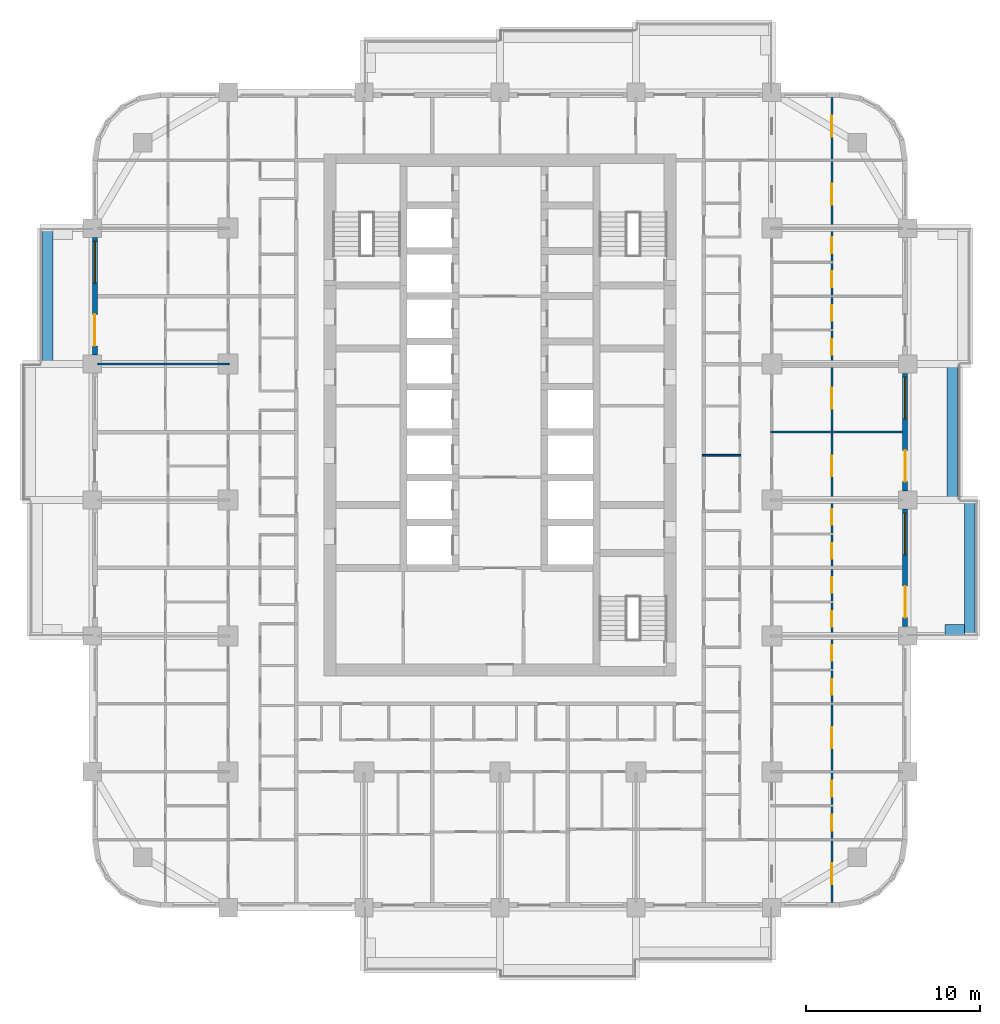
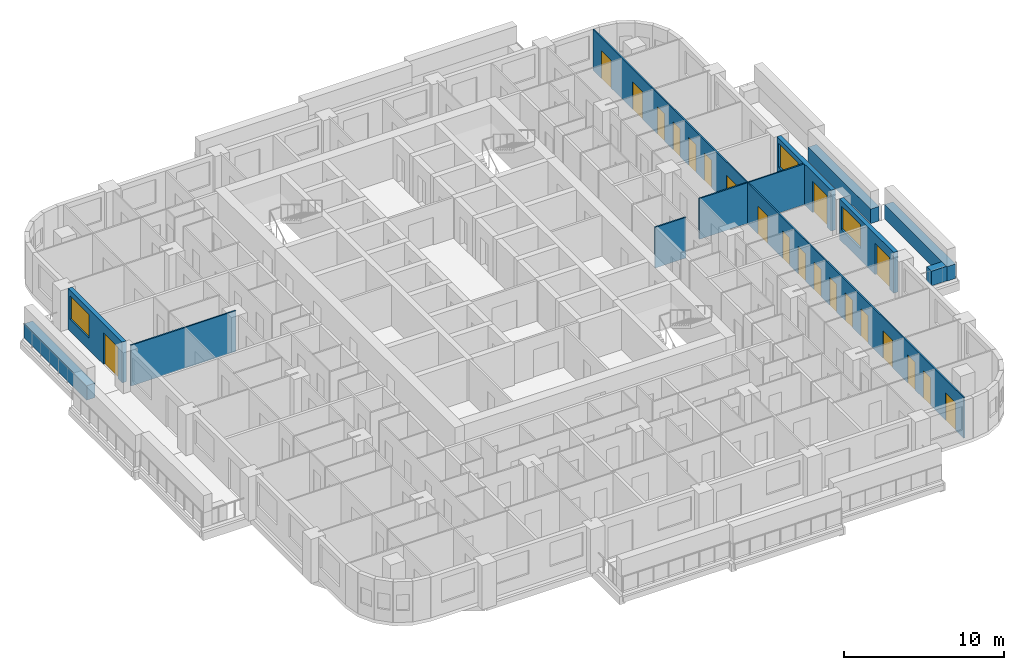
# One storey, part 9 of 17: 21 doors, 11 walls, 3 windows, 24 openings.
"""IFC4 building model written with IfcOpenShell, lengths in metres."""

from ifc_helpers import new_model, si_unit, direction, frame, frame_2d, origin, place, context, subcontext, project, spatial, rectangle, extrude, material, layer, layer_set, type_object, element, fill, save


model = new_model("IFC4")

# Units and contexts
model_context = context("Model", 3, precision=1e-05, world=origin(), true_north=direction((0.0, 1.0)))
body_context = subcontext(model_context, "Body", "Model", "MODEL_VIEW")
ifc_project = project(units=[si_unit("LENGTHUNIT", "METRE"), si_unit("AREAUNIT", "SQUARE_METRE"), si_unit("VOLUMEUNIT", "CUBIC_METRE"), si_unit("PLANEANGLEUNIT", "RADIAN"), si_unit("MASSUNIT", "GRAM", prefix="KILO")], contexts=[model_context])

# Site, building, storey
site_placement = place(None, origin())
site = spatial("IfcSite", under=ifc_project, at=site_placement, CompositionType="ELEMENT")
building_placement = place(site_placement, origin())
building = spatial("IfcBuilding", under=site, at=building_placement, Name="Ludao Terraces", CompositionType="ELEMENT")
storey_placement = place(building_placement, frame((0.0, 0.0, 43.300048828125)))
storey = spatial("IfcBuildingStorey", under=building, at=storey_placement, Name="L11", CompositionType="ELEMENT", Elevation=43.300048828125)

# Walls
ifc_material_1 = material(Name="Concrete C40", Category="concrete")
ifc_layer_1 = layer(ifc_material_1, 0.60009765625)
ifc_layer_set_1 = layer_set([ifc_layer_1], Name="ENV Planter trough 600")
wall_type_1 = type_object("IfcWallType", Name="ENV Planter trough 600", PredefinedType="USERDEFINED", material=ifc_layer_set_1)
wall_1_placement = place(storey_placement, frame((111.949951171875, 57.199951171875, 0.0), z_axis=(0.0, 0.0, 1.0), x_axis=(0.0, 1.0, 0.0)))
element("IfcWall", 1, at=wall_1_placement, inside=storey, type_object=wall_type_1, Name="PL-L11-E2", ObjectType="PLANTER", PredefinedType="USERDEFINED", context=body_context, shape_type="SweptSolid", body=[
    extrude(rectangle(XDim=7.800048828125, YDim=0.60009765625, at=frame_2d((3.89990234375, 0.0))), origin(), (0.0, 0.0, 1.0), 1.099853515625),
])
wall_2_placement = place(storey_placement, frame((111.64990234375, 57.550048828125, 0.0), z_axis=(0.0, 0.0, 1.0), x_axis=(-1.0, 0.0, 0.0)))
element("IfcWall", 2, at=wall_2_placement, inside=storey, type_object=wall_type_1, Name="PL-L11-E2-SA", ObjectType="PLANTER", PredefinedType="USERDEFINED", context=body_context, shape_type="SweptSolid", body=[
    extrude(rectangle(XDim=1.099853515625, YDim=0.60009765625, at=frame_2d((0.5498046875, 0.0))), origin(), (0.0, 0.0, 1.0), 1.099853515625),
])
for number, where, z_axis, x_axis, name in (
    (3, (110.949951171875, 65.0, 0.0), (0.0, 0.0, 1.0), (0.0, 1.0, 0.0), "PL-L11-E3"),
    (4, (59.050048828125, 72.800048828125, 0.0), (0.0, 0.0, 1.0), (0.0, 1.0, 0.0), "PL-L11-W4"),
):
    element("IfcWall", number, at=place(storey_placement, frame(where, z_axis=z_axis, x_axis=x_axis)), inside=storey, type_object=wall_type_1, Name=name, ObjectType="PLANTER", PredefinedType="USERDEFINED", context=body_context, shape_type="SweptSolid", body=[
        extrude(rectangle(XDim=7.800048828125, YDim=0.60009765625, at=frame_2d((3.89990234375, 0.0))), origin(), (0.0, 0.0, 1.0), 1.099853515625),
    ])

# Wall, openings, door, window
ifc_material_2 = material(Name="Granite cladding", Category="masonry")
ifc_layer_2 = layer(ifc_material_2, 0.0400390625, Category="stone")
ifc_material_3 = material(Name="Mineral wool")
ifc_layer_3 = layer(ifc_material_3, 0.06005859375)
ifc_layer_4 = layer(ifc_material_1, 0.199951171875, Category="concrete")
ifc_layer_set_2 = layer_set([ifc_layer_2, ifc_layer_3, ifc_layer_4], Name="ENV Stone-clad wall 300")
wall_type_2 = type_object("IfcWallType", Name="ENV Stone-clad wall 300", PredefinedType="SOLIDWALL", material=ifc_layer_set_2)
wall_3_placement = place(storey_placement, frame((108.25, 57.72509765625, 0.0), z_axis=(0.0, 0.0, 1.0), x_axis=(0.0, 1.0, 0.0)))
wall_3 = element("IfcWall", 5, at=wall_3_placement, inside=storey, type_object=wall_type_2, Name="EW-L11-E3", PredefinedType="SOLIDWALL", context=body_context, shape_type="SweptSolid", body=[
    extrude(rectangle(XDim=6.75, YDim=0.300048828125, at=frame_2d((3.375, 0.0))), origin(), (0.0, 0.0, 1.0), 3.099853515625),
])
opening_1_placement = place(wall_3_placement, frame((0.52490234375, 0.0, 0.0)))
opening_1 = element("IfcOpeningElement", 6, at=opening_1_placement, cuts=wall_3, Name="Opening BD", PredefinedType="OPENING", context=body_context, shape_type="SweptSolid", body=[
    extrude(rectangle(XDim=1.800048828125, YDim=2.39990234375, at=frame_2d((0.89990234375, 1.199951171875))), frame((0.0, 0.16015625, 0.0), z_axis=(0.0, -1.0, 0.0), x_axis=(1.0, 0.0, 0.0)), (0.0, 0.0, 1.0), 0.320068359375),
])
opening_2_placement = place(wall_3_placement, frame((4.125, 0.0, 0.89990234375)))
opening_2 = element("IfcOpeningElement", 7, at=opening_2_placement, cuts=wall_3, Name="Opening W1", PredefinedType="OPENING", context=body_context, shape_type="SweptSolid", body=[
    extrude(rectangle(XDim=2.39990234375, YDim=1.800048828125, at=frame_2d((1.199951171875, 0.89990234375))), frame((0.0, 0.16015625, 0.0), z_axis=(0.0, -1.0, 0.0), x_axis=(1.0, 0.0, 0.0)), (0.0, 0.0, 1.0), 0.320068359375),
])
ifc_material_4 = material(Name="Aluminium glazed door", Category="aluminium")
ifc_layer_5 = layer(ifc_material_4, 0.06005859375)
ifc_layer_set_3 = layer_set([ifc_layer_5], Name="ENV Balcony door BD 1800x2400")
door_type_1 = type_object("IfcDoorType", Name="ENV Balcony door BD 1800x2400", OperationType="DOUBLE_DOOR_SINGLE_SWING", PredefinedType="DOOR", material=ifc_layer_set_3)
door_1_placement = place(opening_1_placement, origin())
door_1 = element("IfcDoor", 8, at=door_1_placement, inside=storey, type_object=door_type_1, Name="BD-L11-E3-1", OperationType="DOUBLE_DOOR_SINGLE_SWING", OverallHeight=2.39990234375, OverallWidth=1.800048828125, PredefinedType="DOOR", context=body_context, shape_type="SweptSolid", body=[
    extrude(rectangle(XDim=1.800048828125, YDim=2.39990234375, at=frame_2d((0.89990234375, 1.199951171875))), frame((0.0, 0.02490234375, 0.0), z_axis=(0.0, -1.0, 0.0), x_axis=(1.0, 0.0, 0.0)), (0.0, 0.0, 1.0), 0.050048828125),
])
fill(opening_1, door_1)
ifc_material_5 = material(Name="Clear glass in aluminium frame", Category="aluminium")
ifc_layer_6 = layer(ifc_material_5, 0.06005859375)
ifc_layer_set_4 = layer_set([ifc_layer_6], Name="ENV Window W1 2400x1800")
window_type = type_object("IfcWindowType", Name="ENV Window W1 2400x1800", PartitioningType="DOUBLE_PANEL_VERTICAL", PredefinedType="WINDOW", material=ifc_layer_set_4)
window_1_placement = place(opening_2_placement, origin())
window_1 = element("IfcWindow", 9, at=window_1_placement, inside=storey, type_object=window_type, Name="W-L11-E3-2", OverallHeight=1.800048828125, OverallWidth=2.39990234375, PartitioningType="DOUBLE_PANEL_VERTICAL", PredefinedType="WINDOW", context=body_context, shape_type="SweptSolid", body=[
    extrude(rectangle(XDim=2.39990234375, YDim=1.800048828125, at=frame_2d((1.199951171875, 0.89990234375))), frame((0.0, 0.030029296875, 0.0), z_axis=(0.0, -1.0, 0.0), x_axis=(1.0, 0.0, 0.0)), (0.0, 0.0, 1.0), 0.06005859375),
])
fill(opening_2, window_1)

wall_4_placement = place(storey_placement, frame((108.25, 65.52490234375, 0.0), z_axis=(0.0, 0.0, 1.0), x_axis=(0.0, 1.0, 0.0)))
wall_4 = element("IfcWall", 10, at=wall_4_placement, inside=storey, type_object=wall_type_2, Name="EW-L11-E4", PredefinedType="SOLIDWALL", context=body_context, shape_type="SweptSolid", body=[
    extrude(rectangle(XDim=6.75, YDim=0.300048828125, at=frame_2d((3.375, 0.0))), origin(), (0.0, 0.0, 1.0), 3.099853515625),
])
opening_3_placement = place(wall_4_placement, frame((0.52490234375, 0.0, 0.0)))
opening_3 = element("IfcOpeningElement", 11, at=opening_3_placement, cuts=wall_4, Name="Opening BD", PredefinedType="OPENING", context=body_context, shape_type="SweptSolid", body=[
    extrude(rectangle(XDim=1.800048828125, YDim=2.39990234375, at=frame_2d((0.89990234375, 1.199951171875))), frame((0.0, 0.16015625, 0.0), z_axis=(0.0, -1.0, 0.0), x_axis=(1.0, 0.0, 0.0)), (0.0, 0.0, 1.0), 0.320068359375),
])
opening_4_placement = place(wall_4_placement, frame((4.125, 0.0, 0.89990234375)))
opening_4 = element("IfcOpeningElement", 12, at=opening_4_placement, cuts=wall_4, Name="Opening W1", PredefinedType="OPENING", context=body_context, shape_type="SweptSolid", body=[
    extrude(rectangle(XDim=2.39990234375, YDim=1.800048828125, at=frame_2d((1.199951171875, 0.89990234375))), frame((0.0, 0.16015625, 0.0), z_axis=(0.0, -1.0, 0.0), x_axis=(1.0, 0.0, 0.0)), (0.0, 0.0, 1.0), 0.320068359375),
])
door_2_placement = place(opening_3_placement, origin())
door_2 = element("IfcDoor", 13, at=door_2_placement, inside=storey, type_object=door_type_1, Name="BD-L11-E4-1", OperationType="DOUBLE_DOOR_SINGLE_SWING", OverallHeight=2.39990234375, OverallWidth=1.800048828125, PredefinedType="DOOR", context=body_context, shape_type="SweptSolid", body=[
    extrude(rectangle(XDim=1.800048828125, YDim=2.39990234375, at=frame_2d((0.89990234375, 1.199951171875))), frame((0.0, 0.02490234375, 0.0), z_axis=(0.0, -1.0, 0.0), x_axis=(1.0, 0.0, 0.0)), (0.0, 0.0, 1.0), 0.050048828125),
])
fill(opening_3, door_2)
window_2_placement = place(opening_4_placement, origin())
window_2 = element("IfcWindow", 14, at=window_2_placement, inside=storey, type_object=window_type, Name="W-L11-E4-2", OverallHeight=1.800048828125, OverallWidth=2.39990234375, PartitioningType="DOUBLE_PANEL_VERTICAL", PredefinedType="WINDOW", context=body_context, shape_type="SweptSolid", body=[
    extrude(rectangle(XDim=2.39990234375, YDim=1.800048828125, at=frame_2d((1.199951171875, 0.89990234375))), frame((0.0, 0.030029296875, 0.0), z_axis=(0.0, -1.0, 0.0), x_axis=(1.0, 0.0, 0.0)), (0.0, 0.0, 1.0), 0.06005859375),
])
fill(opening_4, window_2)

wall_5_placement = place(storey_placement, frame((61.75, 73.324951171875, 0.0), z_axis=(0.0, 0.0, 1.0), x_axis=(0.0, 1.0, 0.0)))
wall_5 = element("IfcWall", 15, at=wall_5_placement, inside=storey, type_object=wall_type_2, Name="EW-L11-W5", PredefinedType="SOLIDWALL", context=body_context, shape_type="SweptSolid", body=[
    extrude(rectangle(XDim=6.75, YDim=0.300048828125, at=frame_2d((3.375, 0.0))), origin(), (0.0, 0.0, 1.0), 3.099853515625),
])
opening_5_placement = place(wall_5_placement, frame((0.52490234375, 0.0, 0.0)))
opening_5 = element("IfcOpeningElement", 16, at=opening_5_placement, cuts=wall_5, Name="Opening BD", PredefinedType="OPENING", context=body_context, shape_type="SweptSolid", body=[
    extrude(rectangle(XDim=1.800048828125, YDim=2.39990234375, at=frame_2d((0.89990234375, 1.199951171875))), frame((0.0, 0.16015625, 0.0), z_axis=(0.0, -1.0, 0.0), x_axis=(1.0, 0.0, 0.0)), (0.0, 0.0, 1.0), 0.320068359375),
])
opening_6_placement = place(wall_5_placement, frame((4.125, 0.0, 0.89990234375)))
opening_6 = element("IfcOpeningElement", 17, at=opening_6_placement, cuts=wall_5, Name="Opening W1", PredefinedType="OPENING", context=body_context, shape_type="SweptSolid", body=[
    extrude(rectangle(XDim=2.39990234375, YDim=1.800048828125, at=frame_2d((1.199951171875, 0.89990234375))), frame((0.0, 0.16015625, 0.0), z_axis=(0.0, -1.0, 0.0), x_axis=(1.0, 0.0, 0.0)), (0.0, 0.0, 1.0), 0.320068359375),
])
door_3_placement = place(opening_5_placement, origin())
door_3 = element("IfcDoor", 18, at=door_3_placement, inside=storey, type_object=door_type_1, Name="BD-L11-W5-1", OperationType="DOUBLE_DOOR_SINGLE_SWING", OverallHeight=2.39990234375, OverallWidth=1.800048828125, PredefinedType="DOOR", context=body_context, shape_type="SweptSolid", body=[
    extrude(rectangle(XDim=1.800048828125, YDim=2.39990234375, at=frame_2d((0.89990234375, 1.199951171875))), frame((0.0, 0.02490234375, 0.0), z_axis=(0.0, -1.0, 0.0), x_axis=(1.0, 0.0, 0.0)), (0.0, 0.0, 1.0), 0.050048828125),
])
fill(opening_5, door_3)
window_3_placement = place(opening_6_placement, origin())
window_3 = element("IfcWindow", 19, at=window_3_placement, inside=storey, type_object=window_type, Name="W-L11-W5-2", OverallHeight=1.800048828125, OverallWidth=2.39990234375, PartitioningType="DOUBLE_PANEL_VERTICAL", PredefinedType="WINDOW", context=body_context, shape_type="SweptSolid", body=[
    extrude(rectangle(XDim=2.39990234375, YDim=1.800048828125, at=frame_2d((1.199951171875, 0.89990234375))), frame((0.0, 0.030029296875, 0.0), z_axis=(0.0, -1.0, 0.0), x_axis=(1.0, 0.0, 0.0)), (0.0, 0.0, 1.0), 0.06005859375),
])
fill(opening_6, window_3)

# Walls
ifc_material_6 = material(Name="Gypsum plasterboard", Category="gypsum")
ifc_layer_7 = layer(ifc_material_6, 0.012451171875, Category="gypsum")
ifc_layer_8 = layer(ifc_material_3, 0.06005859375, Name="insulation")
ifc_material_7 = material(Name="Steel Q235", Category="steel")
ifc_layer_9 = layer(ifc_material_7, 0.014892578125, Name="stud")
ifc_layer_10 = layer(ifc_material_6, 0.012451171875, Category="gypsum")
ifc_layer_set_5 = layer_set([ifc_layer_7, ifc_layer_8, ifc_layer_9, ifc_layer_10], Name="INT Partition 100")
wall_type_3 = type_object("IfcWallType", Name="INT Partition 100", PredefinedType="PARTITIONING", material=ifc_layer_set_5)
wall_6_placement = place(storey_placement, frame((96.60009765625, 67.570068359375, 0.0), z_axis=(0.0, 0.0, 1.0), x_axis=(1.0, 0.0, 0.0)))
element("IfcWall", 20, at=wall_6_placement, inside=storey, type_object=wall_type_3, Name="PW-L11-PW048", PredefinedType="PARTITIONING", context=body_context, shape_type="SweptSolid", body=[
    extrude(rectangle(XDim=2.219970703125, YDim=0.10009765625, at=frame_2d((1.10986328125, 0.0))), origin(), (0.0, 0.0, 1.0), 3.099853515625),
])
for number, where, z_axis, x_axis, name in (
    (21, (100.550048828125, 68.89990234375, 0.0), (0.0, 0.0, 1.0), (1.0, 0.0, 0.0), "PW-L11-PW050"),
    (22, (61.900146484375, 72.800048828125, 0.0), (0.0, 0.0, 1.0), (1.0, 0.0, 0.0), "PW-L11-PW056"),
):
    element("IfcWall", number, at=place(storey_placement, frame(where, z_axis=z_axis, x_axis=x_axis)), inside=storey, type_object=wall_type_3, Name=name, PredefinedType="PARTITIONING", context=body_context, shape_type="SweptSolid", body=[
        extrude(rectangle(XDim=7.550048828125, YDim=0.10009765625, at=frame_2d((3.77490234375, 0.0))), origin(), (0.0, 0.0, 1.0), 3.099853515625),
    ])

# Wall, openings, doors
wall_7_placement = place(storey_placement, frame((104.050048828125, 41.900146484375, 0.0), z_axis=(0.0, 0.0, 1.0), x_axis=(0.0, 1.0, 0.0)))
wall_7 = element("IfcWall", 23, at=wall_7_placement, inside=storey, type_object=wall_type_3, Name="PW-L11-PW124", PredefinedType="PARTITIONING", context=body_context, shape_type="SweptSolid", body=[
    extrude(rectangle(XDim=46.199951171875, YDim=0.10009765625, at=frame_2d((23.10009765625, 0.0))), origin(), (0.0, 0.0, 1.0), 3.099853515625),
])
opening_7_placement = place(wall_7_placement, frame((1.050048828125, 0.0, 0.0)))
opening_7 = element("IfcOpeningElement", 24, at=opening_7_placement, cuts=wall_7, Name="Opening R03-004", PredefinedType="OPENING", context=body_context, shape_type="SweptSolid", body=[
    extrude(rectangle(XDim=1.199951171875, YDim=2.10009765625, at=frame_2d((0.60009765625, 1.050048828125))), frame((0.0, 0.06005859375, 0.0), z_axis=(0.0, -1.0, 0.0), x_axis=(1.0, 0.0, 0.0)), (0.0, 0.0, 1.0), 0.1201171875),
])
opening_8_placement = place(wall_7_placement, frame((4.125, 0.0, 0.0)))
opening_8 = element("IfcOpeningElement", 25, at=opening_8_placement, cuts=wall_7, Name="Opening R03-017", PredefinedType="OPENING", context=body_context, shape_type="SweptSolid", body=[
    extrude(rectangle(XDim=0.89990234375, YDim=2.10009765625, at=frame_2d((0.449951171875, 1.050048828125))), frame((0.0, 0.06005859375, 0.0), z_axis=(0.0, -1.0, 0.0), x_axis=(1.0, 0.0, 0.0)), (0.0, 0.0, 1.0), 0.1201171875),
])
opening_9_placement = place(wall_7_placement, frame((6.074951171875, 0.0, 0.0)))
opening_9 = element("IfcOpeningElement", 26, at=opening_9_placement, cuts=wall_7, Name="Opening R03-023", PredefinedType="OPENING", context=body_context, shape_type="SweptSolid", body=[
    extrude(rectangle(XDim=0.89990234375, YDim=2.10009765625, at=frame_2d((0.449951171875, 1.050048828125))), frame((0.0, 0.06005859375, 0.0), z_axis=(0.0, -1.0, 0.0), x_axis=(1.0, 0.0, 0.0)), (0.0, 0.0, 1.0), 0.1201171875),
])
opening_10_placement = place(wall_7_placement, frame((8.85009765625, 0.0, 0.0)))
opening_10 = element("IfcOpeningElement", 27, at=opening_10_placement, cuts=wall_7, Name="Opening R03-044", PredefinedType="OPENING", context=body_context, shape_type="SweptSolid", body=[
    extrude(rectangle(XDim=1.199951171875, YDim=2.10009765625, at=frame_2d((0.60009765625, 1.050048828125))), frame((0.0, 0.06005859375, 0.0), z_axis=(0.0, -1.0, 0.0), x_axis=(1.0, 0.0, 0.0)), (0.0, 0.0, 1.0), 0.1201171875),
])
opening_11_placement = place(wall_7_placement, frame((11.925048828125, 0.0, 0.0)))
opening_11 = element("IfcOpeningElement", 28, at=opening_11_placement, cuts=wall_7, Name="Opening R03-052", PredefinedType="OPENING", context=body_context, shape_type="SweptSolid", body=[
    extrude(rectangle(XDim=0.89990234375, YDim=2.10009765625, at=frame_2d((0.449951171875, 1.050048828125))), frame((0.0, 0.06005859375, 0.0), z_axis=(0.0, -1.0, 0.0), x_axis=(1.0, 0.0, 0.0)), (0.0, 0.0, 1.0), 0.1201171875),
])
opening_12_placement = place(wall_7_placement, frame((13.875, 0.0, 0.0)))
opening_12 = element("IfcOpeningElement", 29, at=opening_12_placement, cuts=wall_7, Name="Opening R03-058", PredefinedType="OPENING", context=body_context, shape_type="SweptSolid", body=[
    extrude(rectangle(XDim=0.89990234375, YDim=2.10009765625, at=frame_2d((0.449951171875, 1.050048828125))), frame((0.0, 0.06005859375, 0.0), z_axis=(0.0, -1.0, 0.0), x_axis=(1.0, 0.0, 0.0)), (0.0, 0.0, 1.0), 0.1201171875),
])
opening_13_placement = place(wall_7_placement, frame((15.824951171875, 0.0, 0.0)))
opening_13 = element("IfcOpeningElement", 30, at=opening_13_placement, cuts=wall_7, Name="Opening R03-066", PredefinedType="OPENING", context=body_context, shape_type="SweptSolid", body=[
    extrude(rectangle(XDim=0.89990234375, YDim=2.10009765625, at=frame_2d((0.449951171875, 1.050048828125))), frame((0.0, 0.06005859375, 0.0), z_axis=(0.0, -1.0, 0.0), x_axis=(1.0, 0.0, 0.0)), (0.0, 0.0, 1.0), 0.1201171875),
])
opening_14_placement = place(wall_7_placement, frame((17.77490234375, 0.0, 0.0)))
opening_14 = element("IfcOpeningElement", 31, at=opening_14_placement, cuts=wall_7, Name="Opening R03-072", PredefinedType="OPENING", context=body_context, shape_type="SweptSolid", body=[
    extrude(rectangle(XDim=0.89990234375, YDim=2.10009765625, at=frame_2d((0.449951171875, 1.050048828125))), frame((0.0, 0.06005859375, 0.0), z_axis=(0.0, -1.0, 0.0), x_axis=(1.0, 0.0, 0.0)), (0.0, 0.0, 1.0), 0.1201171875),
])
opening_15_placement = place(wall_7_placement, frame((19.72509765625, 0.0, 0.0)))
opening_15 = element("IfcOpeningElement", 32, at=opening_15_placement, cuts=wall_7, Name="Opening R03-076", PredefinedType="OPENING", context=body_context, shape_type="SweptSolid", body=[
    extrude(rectangle(XDim=0.89990234375, YDim=2.10009765625, at=frame_2d((0.449951171875, 1.050048828125))), frame((0.0, 0.06005859375, 0.0), z_axis=(0.0, -1.0, 0.0), x_axis=(1.0, 0.0, 0.0)), (0.0, 0.0, 1.0), 0.1201171875),
])
opening_16_placement = place(wall_7_placement, frame((21.675048828125, 0.0, 0.0)))
opening_16 = element("IfcOpeningElement", 33, at=opening_16_placement, cuts=wall_7, Name="Opening R03-084", PredefinedType="OPENING", context=body_context, shape_type="SweptSolid", body=[
    extrude(rectangle(XDim=0.89990234375, YDim=2.10009765625, at=frame_2d((0.449951171875, 1.050048828125))), frame((0.0, 0.06005859375, 0.0), z_axis=(0.0, -1.0, 0.0), x_axis=(1.0, 0.0, 0.0)), (0.0, 0.0, 1.0), 0.1201171875),
])
opening_17_placement = place(wall_7_placement, frame((24.449951171875, 0.0, 0.0)))
opening_17 = element("IfcOpeningElement", 34, at=opening_17_placement, cuts=wall_7, Name="Opening R03-093", PredefinedType="OPENING", context=body_context, shape_type="SweptSolid", body=[
    extrude(rectangle(XDim=1.199951171875, YDim=2.10009765625, at=frame_2d((0.60009765625, 1.050048828125))), frame((0.0, 0.06005859375, 0.0), z_axis=(0.0, -1.0, 0.0), x_axis=(1.0, 0.0, 0.0)), (0.0, 0.0, 1.0), 0.1201171875),
])
opening_18_placement = place(wall_7_placement, frame((28.35009765625, 0.0, 0.0)))
opening_18 = element("IfcOpeningElement", 35, at=opening_18_placement, cuts=wall_7, Name="Opening R03-106", PredefinedType="OPENING", context=body_context, shape_type="SweptSolid", body=[
    extrude(rectangle(XDim=1.199951171875, YDim=2.10009765625, at=frame_2d((0.60009765625, 1.050048828125))), frame((0.0, 0.06005859375, 0.0), z_axis=(0.0, -1.0, 0.0), x_axis=(1.0, 0.0, 0.0)), (0.0, 0.0, 1.0), 0.1201171875),
])
opening_19_placement = place(wall_7_placement, frame((31.425048828125, 0.0, 0.0)))
opening_19 = element("IfcOpeningElement", 36, at=opening_19_placement, cuts=wall_7, Name="Opening R03-116", PredefinedType="OPENING", context=body_context, shape_type="SweptSolid", body=[
    extrude(rectangle(XDim=0.89990234375, YDim=2.10009765625, at=frame_2d((0.449951171875, 1.050048828125))), frame((0.0, 0.06005859375, 0.0), z_axis=(0.0, -1.0, 0.0), x_axis=(1.0, 0.0, 0.0)), (0.0, 0.0, 1.0), 0.1201171875),
])
opening_20_placement = place(wall_7_placement, frame((33.375, 0.0, 0.0)))
opening_20 = element("IfcOpeningElement", 37, at=opening_20_placement, cuts=wall_7, Name="Opening R03-126", PredefinedType="OPENING", context=body_context, shape_type="SweptSolid", body=[
    extrude(rectangle(XDim=0.89990234375, YDim=2.10009765625, at=frame_2d((0.449951171875, 1.050048828125))), frame((0.0, 0.06005859375, 0.0), z_axis=(0.0, -1.0, 0.0), x_axis=(1.0, 0.0, 0.0)), (0.0, 0.0, 1.0), 0.1201171875),
])
opening_21_placement = place(wall_7_placement, frame((35.324951171875, 0.0, 0.0)))
opening_21 = element("IfcOpeningElement", 38, at=opening_21_placement, cuts=wall_7, Name="Opening R03-128", PredefinedType="OPENING", context=body_context, shape_type="SweptSolid", body=[
    extrude(rectangle(XDim=0.89990234375, YDim=2.10009765625, at=frame_2d((0.449951171875, 1.050048828125))), frame((0.0, 0.06005859375, 0.0), z_axis=(0.0, -1.0, 0.0), x_axis=(1.0, 0.0, 0.0)), (0.0, 0.0, 1.0), 0.1201171875),
])
opening_22_placement = place(wall_7_placement, frame((37.27490234375, 0.0, 0.0)))
opening_22 = element("IfcOpeningElement", 39, at=opening_22_placement, cuts=wall_7, Name="Opening R03-138", PredefinedType="OPENING", context=body_context, shape_type="SweptSolid", body=[
    extrude(rectangle(XDim=0.89990234375, YDim=2.10009765625, at=frame_2d((0.449951171875, 1.050048828125))), frame((0.0, 0.06005859375, 0.0), z_axis=(0.0, -1.0, 0.0), x_axis=(1.0, 0.0, 0.0)), (0.0, 0.0, 1.0), 0.1201171875),
])
opening_23_placement = place(wall_7_placement, frame((40.050048828125, 0.0, 0.0)))
opening_23 = element("IfcOpeningElement", 40, at=opening_23_placement, cuts=wall_7, Name="Opening R03-148", PredefinedType="OPENING", context=body_context, shape_type="SweptSolid", body=[
    extrude(rectangle(XDim=1.199951171875, YDim=2.10009765625, at=frame_2d((0.60009765625, 1.050048828125))), frame((0.0, 0.06005859375, 0.0), z_axis=(0.0, -1.0, 0.0), x_axis=(1.0, 0.0, 0.0)), (0.0, 0.0, 1.0), 0.1201171875),
])
opening_24_placement = place(wall_7_placement, frame((43.949951171875, 0.0, 0.0)))
opening_24 = element("IfcOpeningElement", 41, at=opening_24_placement, cuts=wall_7, Name="Opening R03-164", PredefinedType="OPENING", context=body_context, shape_type="SweptSolid", body=[
    extrude(rectangle(XDim=1.199951171875, YDim=2.10009765625, at=frame_2d((0.60009765625, 1.050048828125))), frame((0.0, 0.06005859375, 0.0), z_axis=(0.0, -1.0, 0.0), x_axis=(1.0, 0.0, 0.0)), (0.0, 0.0, 1.0), 0.1201171875),
])
ifc_material_8 = material(Name="Timber door leaf", Category="wood")
door_type_2 = type_object("IfcDoorType", Name="INT Bathroom door 900", OperationType="SINGLE_SWING_LEFT", PredefinedType="DOOR", material=ifc_material_8)
door_4_placement = place(opening_8_placement, origin())
door_4 = element("IfcDoor", 42, at=door_4_placement, inside=storey, type_object=door_type_2, Name="DOOR 017", OperationType="SINGLE_SWING_LEFT", OverallHeight=2.10009765625, OverallWidth=0.89990234375, PredefinedType="DOOR", context=body_context, shape_type="SweptSolid", body=[
    extrude(rectangle(XDim=0.89990234375, YDim=2.10009765625, at=frame_2d((0.449951171875, 1.050048828125))), frame((0.0, 0.02490234375, 0.0), z_axis=(0.0, -1.0, 0.0), x_axis=(1.0, 0.0, 0.0)), (0.0, 0.0, 1.0), 0.050048828125),
])
fill(opening_8, door_4)
door_5_placement = place(opening_11_placement, origin())
door_5 = element("IfcDoor", 43, at=door_5_placement, inside=storey, type_object=door_type_2, Name="DOOR 052", OperationType="SINGLE_SWING_LEFT", OverallHeight=2.10009765625, OverallWidth=0.89990234375, PredefinedType="DOOR", context=body_context, shape_type="SweptSolid", body=[
    extrude(rectangle(XDim=0.89990234375, YDim=2.10009765625, at=frame_2d((0.449951171875, 1.050048828125))), frame((0.0, 0.02490234375, 0.0), z_axis=(0.0, -1.0, 0.0), x_axis=(1.0, 0.0, 0.0)), (0.0, 0.0, 1.0), 0.050048828125),
])
fill(opening_11, door_5)
door_6_placement = place(opening_13_placement, origin())
door_6 = element("IfcDoor", 44, at=door_6_placement, inside=storey, type_object=door_type_2, Name="DOOR 066", OperationType="SINGLE_SWING_LEFT", OverallHeight=2.10009765625, OverallWidth=0.89990234375, PredefinedType="DOOR", context=body_context, shape_type="SweptSolid", body=[
    extrude(rectangle(XDim=0.89990234375, YDim=2.10009765625, at=frame_2d((0.449951171875, 1.050048828125))), frame((0.0, 0.02490234375, 0.0), z_axis=(0.0, -1.0, 0.0), x_axis=(1.0, 0.0, 0.0)), (0.0, 0.0, 1.0), 0.050048828125),
])
fill(opening_13, door_6)
door_7_placement = place(opening_15_placement, origin())
door_7 = element("IfcDoor", 45, at=door_7_placement, inside=storey, type_object=door_type_2, Name="DOOR 076", OperationType="SINGLE_SWING_LEFT", OverallHeight=2.10009765625, OverallWidth=0.89990234375, PredefinedType="DOOR", context=body_context, shape_type="SweptSolid", body=[
    extrude(rectangle(XDim=0.89990234375, YDim=2.10009765625, at=frame_2d((0.449951171875, 1.050048828125))), frame((0.0, 0.02490234375, 0.0), z_axis=(0.0, -1.0, 0.0), x_axis=(1.0, 0.0, 0.0)), (0.0, 0.0, 1.0), 0.050048828125),
])
fill(opening_15, door_7)
door_8_placement = place(opening_19_placement, origin())
door_8 = element("IfcDoor", 46, at=door_8_placement, inside=storey, type_object=door_type_2, Name="DOOR 116", OperationType="SINGLE_SWING_LEFT", OverallHeight=2.10009765625, OverallWidth=0.89990234375, PredefinedType="DOOR", context=body_context, shape_type="SweptSolid", body=[
    extrude(rectangle(XDim=0.89990234375, YDim=2.10009765625, at=frame_2d((0.449951171875, 1.050048828125))), frame((0.0, 0.02490234375, 0.0), z_axis=(0.0, -1.0, 0.0), x_axis=(1.0, 0.0, 0.0)), (0.0, 0.0, 1.0), 0.050048828125),
])
fill(opening_19, door_8)
door_9_placement = place(opening_21_placement, origin())
door_9 = element("IfcDoor", 47, at=door_9_placement, inside=storey, type_object=door_type_2, Name="DOOR 128", OperationType="SINGLE_SWING_LEFT", OverallHeight=2.10009765625, OverallWidth=0.89990234375, PredefinedType="DOOR", context=body_context, shape_type="SweptSolid", body=[
    extrude(rectangle(XDim=0.89990234375, YDim=2.10009765625, at=frame_2d((0.449951171875, 1.050048828125))), frame((0.0, 0.02490234375, 0.0), z_axis=(0.0, -1.0, 0.0), x_axis=(1.0, 0.0, 0.0)), (0.0, 0.0, 1.0), 0.050048828125),
])
fill(opening_21, door_9)
door_type_3 = type_object("IfcDoorType", Name="INT Double door 1200", OperationType="DOUBLE_DOOR_SINGLE_SWING", PredefinedType="DOOR", material=ifc_material_8)
door_10_placement = place(opening_7_placement, origin())
door_10 = element("IfcDoor", 48, at=door_10_placement, inside=storey, type_object=door_type_3, Name="DOOR 004", OperationType="DOUBLE_DOOR_SINGLE_SWING", OverallHeight=2.10009765625, OverallWidth=1.199951171875, PredefinedType="DOOR", context=body_context, shape_type="SweptSolid", body=[
    extrude(rectangle(XDim=1.199951171875, YDim=2.10009765625, at=frame_2d((0.60009765625, 1.050048828125))), frame((0.0, 0.02490234375, 0.0), z_axis=(0.0, -1.0, 0.0), x_axis=(1.0, 0.0, 0.0)), (0.0, 0.0, 1.0), 0.050048828125),
])
fill(opening_7, door_10)
door_11_placement = place(opening_10_placement, origin())
door_11 = element("IfcDoor", 49, at=door_11_placement, inside=storey, type_object=door_type_3, Name="DOOR 044", OperationType="DOUBLE_DOOR_SINGLE_SWING", OverallHeight=2.10009765625, OverallWidth=1.199951171875, PredefinedType="DOOR", context=body_context, shape_type="SweptSolid", body=[
    extrude(rectangle(XDim=1.199951171875, YDim=2.10009765625, at=frame_2d((0.60009765625, 1.050048828125))), frame((0.0, 0.02490234375, 0.0), z_axis=(0.0, -1.0, 0.0), x_axis=(1.0, 0.0, 0.0)), (0.0, 0.0, 1.0), 0.050048828125),
])
fill(opening_10, door_11)
door_12_placement = place(opening_17_placement, origin())
door_12 = element("IfcDoor", 50, at=door_12_placement, inside=storey, type_object=door_type_3, Name="DOOR 093", OperationType="DOUBLE_DOOR_SINGLE_SWING", OverallHeight=2.10009765625, OverallWidth=1.199951171875, PredefinedType="DOOR", context=body_context, shape_type="SweptSolid", body=[
    extrude(rectangle(XDim=1.199951171875, YDim=2.10009765625, at=frame_2d((0.60009765625, 1.050048828125))), frame((0.0, 0.02490234375, 0.0), z_axis=(0.0, -1.0, 0.0), x_axis=(1.0, 0.0, 0.0)), (0.0, 0.0, 1.0), 0.050048828125),
])
fill(opening_17, door_12)
door_13_placement = place(opening_18_placement, origin())
door_13 = element("IfcDoor", 51, at=door_13_placement, inside=storey, type_object=door_type_3, Name="DOOR 106", OperationType="DOUBLE_DOOR_SINGLE_SWING", OverallHeight=2.10009765625, OverallWidth=1.199951171875, PredefinedType="DOOR", context=body_context, shape_type="SweptSolid", body=[
    extrude(rectangle(XDim=1.199951171875, YDim=2.10009765625, at=frame_2d((0.60009765625, 1.050048828125))), frame((0.0, 0.02490234375, 0.0), z_axis=(0.0, -1.0, 0.0), x_axis=(1.0, 0.0, 0.0)), (0.0, 0.0, 1.0), 0.050048828125),
])
fill(opening_18, door_13)
door_14_placement = place(opening_23_placement, origin())
door_14 = element("IfcDoor", 52, at=door_14_placement, inside=storey, type_object=door_type_3, Name="DOOR 148", OperationType="DOUBLE_DOOR_SINGLE_SWING", OverallHeight=2.10009765625, OverallWidth=1.199951171875, PredefinedType="DOOR", context=body_context, shape_type="SweptSolid", body=[
    extrude(rectangle(XDim=1.199951171875, YDim=2.10009765625, at=frame_2d((0.60009765625, 1.050048828125))), frame((0.0, 0.02490234375, 0.0), z_axis=(0.0, -1.0, 0.0), x_axis=(1.0, 0.0, 0.0)), (0.0, 0.0, 1.0), 0.050048828125),
])
fill(opening_23, door_14)
door_15_placement = place(opening_24_placement, origin())
door_15 = element("IfcDoor", 53, at=door_15_placement, inside=storey, type_object=door_type_3, Name="DOOR 164", OperationType="DOUBLE_DOOR_SINGLE_SWING", OverallHeight=2.10009765625, OverallWidth=1.199951171875, PredefinedType="DOOR", context=body_context, shape_type="SweptSolid", body=[
    extrude(rectangle(XDim=1.199951171875, YDim=2.10009765625, at=frame_2d((0.60009765625, 1.050048828125))), frame((0.0, 0.02490234375, 0.0), z_axis=(0.0, -1.0, 0.0), x_axis=(1.0, 0.0, 0.0)), (0.0, 0.0, 1.0), 0.050048828125),
])
fill(opening_24, door_15)
door_type_4 = type_object("IfcDoorType", Name="INT Room door 900", OperationType="SINGLE_SWING_LEFT", PredefinedType="DOOR", material=ifc_material_8)
door_16_placement = place(opening_9_placement, origin())
door_16 = element("IfcDoor", 54, at=door_16_placement, inside=storey, type_object=door_type_4, Name="DOOR 023", OperationType="SINGLE_SWING_RIGHT", OverallHeight=2.10009765625, OverallWidth=0.89990234375, PredefinedType="DOOR", context=body_context, shape_type="SweptSolid", body=[
    extrude(rectangle(XDim=0.89990234375, YDim=2.10009765625, at=frame_2d((0.449951171875, 1.050048828125))), frame((0.0, 0.02490234375, 0.0), z_axis=(0.0, -1.0, 0.0), x_axis=(1.0, 0.0, 0.0)), (0.0, 0.0, 1.0), 0.050048828125),
])
fill(opening_9, door_16)
door_17_placement = place(opening_12_placement, origin())
door_17 = element("IfcDoor", 55, at=door_17_placement, inside=storey, type_object=door_type_4, Name="DOOR 058", OperationType="SINGLE_SWING_RIGHT", OverallHeight=2.10009765625, OverallWidth=0.89990234375, PredefinedType="DOOR", context=body_context, shape_type="SweptSolid", body=[
    extrude(rectangle(XDim=0.89990234375, YDim=2.10009765625, at=frame_2d((0.449951171875, 1.050048828125))), frame((0.0, 0.02490234375, 0.0), z_axis=(0.0, -1.0, 0.0), x_axis=(1.0, 0.0, 0.0)), (0.0, 0.0, 1.0), 0.050048828125),
])
fill(opening_12, door_17)
door_18_placement = place(opening_14_placement, origin())
door_18 = element("IfcDoor", 56, at=door_18_placement, inside=storey, type_object=door_type_4, Name="DOOR 072", OperationType="SINGLE_SWING_LEFT", OverallHeight=2.10009765625, OverallWidth=0.89990234375, PredefinedType="DOOR", context=body_context, shape_type="SweptSolid", body=[
    extrude(rectangle(XDim=0.89990234375, YDim=2.10009765625, at=frame_2d((0.449951171875, 1.050048828125))), frame((0.0, 0.02490234375, 0.0), z_axis=(0.0, -1.0, 0.0), x_axis=(1.0, 0.0, 0.0)), (0.0, 0.0, 1.0), 0.050048828125),
])
fill(opening_14, door_18)
door_19_placement = place(opening_16_placement, origin())
door_19 = element("IfcDoor", 57, at=door_19_placement, inside=storey, type_object=door_type_4, Name="DOOR 084", OperationType="SINGLE_SWING_LEFT", OverallHeight=2.10009765625, OverallWidth=0.89990234375, PredefinedType="DOOR", context=body_context, shape_type="SweptSolid", body=[
    extrude(rectangle(XDim=0.89990234375, YDim=2.10009765625, at=frame_2d((0.449951171875, 1.050048828125))), frame((0.0, 0.02490234375, 0.0), z_axis=(0.0, -1.0, 0.0), x_axis=(1.0, 0.0, 0.0)), (0.0, 0.0, 1.0), 0.050048828125),
])
fill(opening_16, door_19)
door_20_placement = place(opening_20_placement, origin())
door_20 = element("IfcDoor", 58, at=door_20_placement, inside=storey, type_object=door_type_4, Name="DOOR 126", OperationType="SINGLE_SWING_LEFT", OverallHeight=2.10009765625, OverallWidth=0.89990234375, PredefinedType="DOOR", context=body_context, shape_type="SweptSolid", body=[
    extrude(rectangle(XDim=0.89990234375, YDim=2.10009765625, at=frame_2d((0.449951171875, 1.050048828125))), frame((0.0, 0.02490234375, 0.0), z_axis=(0.0, -1.0, 0.0), x_axis=(1.0, 0.0, 0.0)), (0.0, 0.0, 1.0), 0.050048828125),
])
fill(opening_20, door_20)
door_21_placement = place(opening_22_placement, origin())
door_21 = element("IfcDoor", 59, at=door_21_placement, inside=storey, type_object=door_type_4, Name="DOOR 138", OperationType="SINGLE_SWING_LEFT", OverallHeight=2.10009765625, OverallWidth=0.89990234375, PredefinedType="DOOR", context=body_context, shape_type="SweptSolid", body=[
    extrude(rectangle(XDim=0.89990234375, YDim=2.10009765625, at=frame_2d((0.449951171875, 1.050048828125))), frame((0.0, 0.02490234375, 0.0), z_axis=(0.0, -1.0, 0.0), x_axis=(1.0, 0.0, 0.0)), (0.0, 0.0, 1.0), 0.050048828125),
])
fill(opening_22, door_21)

save(model, "model.ifc")
